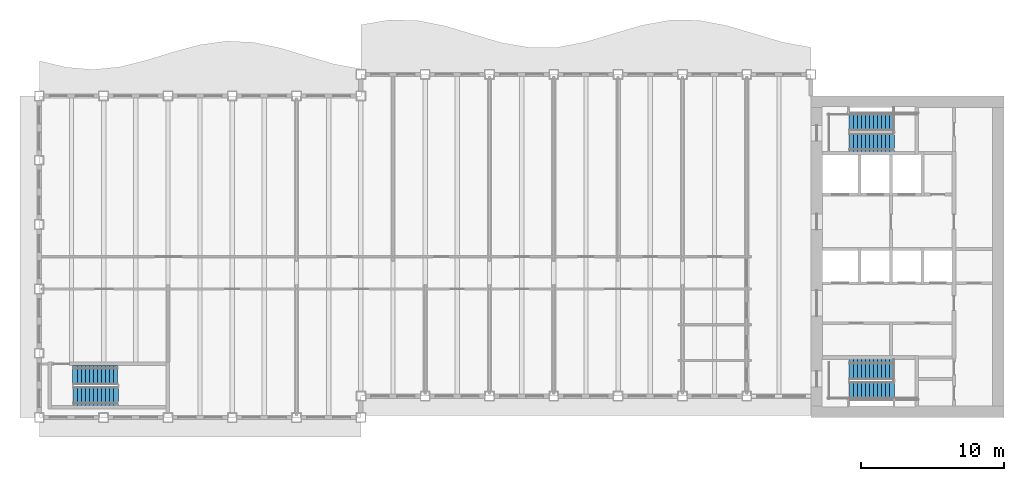
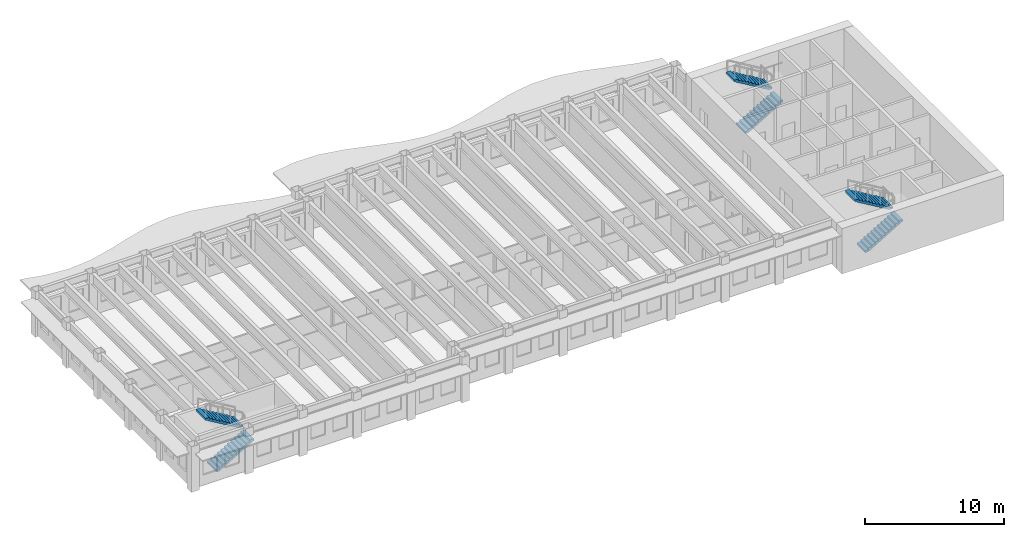
# One storey, part 7 of 12: 6 stair flights, 3 elements without a shape of their own.
"""IFC4 building model written with IfcOpenShell, lengths in metres."""

from ifc_helpers import new_model, si_unit, direction, frame, origin, place, context, subcontext, project, spatial, polyline, outline, extrude, material, type_object, element, aggregate, save


model = new_model("IFC4")

# Units and contexts
model_context = context("Model", 3, precision=1e-05, world=origin(), true_north=direction((0.0, 1.0)))
body_context = subcontext(model_context, "Body", "Model", "MODEL_VIEW")
ifc_project = project(units=[si_unit("LENGTHUNIT", "METRE"), si_unit("AREAUNIT", "SQUARE_METRE"), si_unit("VOLUMEUNIT", "CUBIC_METRE"), si_unit("PLANEANGLEUNIT", "RADIAN"), si_unit("MASSUNIT", "GRAM", prefix="KILO")], contexts=[model_context])

# Site, building, storey
site_placement = place(None, origin())
site = spatial("IfcSite", under=ifc_project, at=site_placement, CompositionType="ELEMENT")
building_placement = place(site_placement, origin())
building = spatial("IfcBuilding", under=site, at=building_placement, Name="Sennacour Bend Tower", CompositionType="ELEMENT")
storey_placement = place(building_placement, frame((0.0, 0.0, 257.0)))
storey = spatial("IfcBuildingStorey", under=building, at=storey_placement, Name="L59", CompositionType="ELEMENT", Elevation=257.0)

# Stair, stair flights
ifc_material = material(Name="Concrete C40/50", Category="concrete")
stair_type = type_object("IfcStairType", Name="ST-DOGLEG", PredefinedType="HALF_TURN_STAIR", material=ifc_material)
stair_1_placement = place(storey_placement, origin())
stair_1 = element("IfcStair", 1, at=stair_1_placement, inside=storey, type_object=stair_type, Name="L59 Exit stair A1", PredefinedType="HALF_TURN_STAIR")
stair_flight_type = type_object("IfcStairFlightType", Name="SFL-RC", PredefinedType="STRAIGHT", material=ifc_material)
stair_flight_1_placement = place(storey_placement, frame((56.699951171875, 1.89990234375, 0.0), z_axis=(0.0, 0.0, 1.0), x_axis=(1.0, 0.0, 0.0)))
stair_flight_1 = element("IfcStairFlight", 2, at=stair_flight_1_placement, type_object=stair_flight_type, Name="SA1 flight 1", NumberOfRisers=12, NumberOfTreads=11, PredefinedType="STRAIGHT", RiserHeight=0.166666667, TreadLength=0.28, context=body_context, shape_type="SweptSolid", body=[
    extrude(outline(polyline([(0.0, 0.0), (0.0, 0.166748046875), (0.280029296875, 0.166748046875), (0.280029296875, 0.333251953125), (0.56005859375, 0.333251953125), (0.56005859375, 0.5), (0.840087890625, 0.5), (0.840087890625, 0.666748046875), (1.1201171875, 0.666748046875), (1.1201171875, 0.833251953125), (1.39990234375, 0.833251953125), (1.39990234375, 1.0), (1.679931640625, 1.0), (1.679931640625, 1.166748046875), (1.9599609375, 1.166748046875), (1.9599609375, 1.333251953125), (2.239990234375, 1.333251953125), (2.239990234375, 1.5), (2.52001953125, 1.5), (2.52001953125, 1.666748046875), (2.800048828125, 1.666748046875), (2.800048828125, 1.833251953125), (3.080078125, 1.833251953125), (3.139892578125, 1.833251953125), (3.139892578125, 1.658935546875), (3.080078125, 1.658935546875), (0.29296875, 0.0), (0.0, 0.0)])), frame((0.0, 0.60009765625, 0.0), z_axis=(0.0, -1.0, 0.0), x_axis=(1.0, 0.0, 0.0)), (0.0, 0.0, 1.0), 1.199951171875),
])
stair_flight_2_placement = place(storey_placement, frame((59.780029296875, 3.37744140625, 2.0), z_axis=(0.0, 0.0, 1.0), x_axis=(-1.0, 0.0, 0.0)))
stair_flight_2 = element("IfcStairFlight", 3, at=stair_flight_2_placement, type_object=stair_flight_type, Name="SA1 flight 2", NumberOfRisers=12, NumberOfTreads=11, PredefinedType="STRAIGHT", RiserHeight=0.166666667, TreadLength=0.28, context=body_context, shape_type="SweptSolid", body=[
    extrude(outline(polyline([(0.0, 0.0), (0.0, 0.166748046875), (0.280029296875, 0.166748046875), (0.280029296875, 0.333251953125), (0.56005859375, 0.333251953125), (0.56005859375, 0.5), (0.840087890625, 0.5), (0.840087890625, 0.666748046875), (1.1201171875, 0.666748046875), (1.1201171875, 0.833251953125), (1.39990234375, 0.833251953125), (1.39990234375, 1.0), (1.679931640625, 1.0), (1.679931640625, 1.166748046875), (1.9599609375, 1.166748046875), (1.9599609375, 1.333251953125), (2.239990234375, 1.333251953125), (2.239990234375, 1.5), (2.52001953125, 1.5), (2.52001953125, 1.666748046875), (2.800048828125, 1.666748046875), (2.800048828125, 1.833251953125), (3.080078125, 1.833251953125), (3.139892578125, 1.833251953125), (3.139892578125, 1.658935546875), (3.080078125, 1.658935546875), (0.29296875, 0.0), (0.0, 0.0)])), frame((0.0, 0.7275390625, 0.0), z_axis=(0.0, -1.0, 0.0), x_axis=(1.0, 0.0, 0.0)), (0.0, 0.0, 1.0), 1.455078125),
])
aggregate(stair_1, [stair_flight_1, stair_flight_2])

stair_2_placement = place(storey_placement, origin())
stair_2 = element("IfcStair", 4, at=stair_2_placement, inside=storey, type_object=stair_type, Name="L59 Exit stair A2", PredefinedType="HALF_TURN_STAIR")
stair_flight_3_placement = place(storey_placement, frame((56.699951171875, 19.24755859375, 0.0), z_axis=(0.0, 0.0, 1.0), x_axis=(1.0, 0.0, 0.0)))
stair_flight_3 = element("IfcStairFlight", 5, at=stair_flight_3_placement, type_object=stair_flight_type, Name="SA2 flight 1", NumberOfRisers=12, NumberOfTreads=11, PredefinedType="STRAIGHT", RiserHeight=0.166666667, TreadLength=0.28, context=body_context, shape_type="SweptSolid", body=[
    extrude(outline(polyline([(0.0, 0.0), (0.0, 0.166748046875), (0.280029296875, 0.166748046875), (0.280029296875, 0.333251953125), (0.56005859375, 0.333251953125), (0.56005859375, 0.5), (0.840087890625, 0.5), (0.840087890625, 0.666748046875), (1.1201171875, 0.666748046875), (1.1201171875, 0.833251953125), (1.39990234375, 0.833251953125), (1.39990234375, 1.0), (1.679931640625, 1.0), (1.679931640625, 1.166748046875), (1.9599609375, 1.166748046875), (1.9599609375, 1.333251953125), (2.239990234375, 1.333251953125), (2.239990234375, 1.5), (2.52001953125, 1.5), (2.52001953125, 1.666748046875), (2.800048828125, 1.666748046875), (2.800048828125, 1.833251953125), (3.080078125, 1.833251953125), (3.139892578125, 1.833251953125), (3.139892578125, 1.658935546875), (3.080078125, 1.658935546875), (0.29296875, 0.0), (0.0, 0.0)])), frame((0.0, 0.65234375, 0.0), z_axis=(0.0, -1.0, 0.0), x_axis=(1.0, 0.0, 0.0)), (0.0, 0.0, 1.0), 1.304931640625),
])
stair_flight_4_placement = place(storey_placement, frame((59.780029296875, 20.64990234375, 2.0), z_axis=(0.0, 0.0, 1.0), x_axis=(-1.0, 0.0, 0.0)))
stair_flight_4 = element("IfcStairFlight", 6, at=stair_flight_4_placement, type_object=stair_flight_type, Name="SA2 flight 2", NumberOfRisers=12, NumberOfTreads=11, PredefinedType="STRAIGHT", RiserHeight=0.166666667, TreadLength=0.28, context=body_context, shape_type="SweptSolid", body=[
    extrude(outline(polyline([(0.0, 0.0), (0.0, 0.166748046875), (0.280029296875, 0.166748046875), (0.280029296875, 0.333251953125), (0.56005859375, 0.333251953125), (0.56005859375, 0.5), (0.840087890625, 0.5), (0.840087890625, 0.666748046875), (1.1201171875, 0.666748046875), (1.1201171875, 0.833251953125), (1.39990234375, 0.833251953125), (1.39990234375, 1.0), (1.679931640625, 1.0), (1.679931640625, 1.166748046875), (1.9599609375, 1.166748046875), (1.9599609375, 1.333251953125), (2.239990234375, 1.333251953125), (2.239990234375, 1.5), (2.52001953125, 1.5), (2.52001953125, 1.666748046875), (2.800048828125, 1.666748046875), (2.800048828125, 1.833251953125), (3.080078125, 1.833251953125), (3.139892578125, 1.833251953125), (3.139892578125, 1.658935546875), (3.080078125, 1.658935546875), (0.29296875, 0.0), (0.0, 0.0)])), frame((0.0, 0.60009765625, 0.0), z_axis=(0.0, -1.0, 0.0), x_axis=(1.0, 0.0, 0.0)), (0.0, 0.0, 1.0), 1.199951171875),
])
aggregate(stair_2, [stair_flight_3, stair_flight_4])

stair_3_placement = place(storey_placement, origin())
stair_3 = element("IfcStair", 7, at=stair_3_placement, inside=storey, type_object=stair_type, Name="L59 Exit stair K1", PredefinedType="HALF_TURN_STAIR")
stair_flight_5_placement = place(storey_placement, frame((2.39990234375, 1.485107421875, 0.0), z_axis=(0.0, 0.0, 1.0), x_axis=(1.0, 0.0, 0.0)))
stair_flight_5 = element("IfcStairFlight", 8, at=stair_flight_5_placement, type_object=stair_flight_type, Name="SK1 flight 1", NumberOfRisers=12, NumberOfTreads=11, PredefinedType="STRAIGHT", RiserHeight=0.166666667, TreadLength=0.28, context=body_context, shape_type="SweptSolid", body=[
    extrude(outline(polyline([(0.0, 0.0), (0.0, 0.166748046875), (0.280029296875, 0.166748046875), (0.280029296875, 0.333251953125), (0.56005859375, 0.333251953125), (0.56005859375, 0.5), (0.840087890625, 0.5), (0.840087890625, 0.666748046875), (1.1201171875, 0.666748046875), (1.1201171875, 0.833251953125), (1.39990234375, 0.833251953125), (1.39990234375, 1.0), (1.679931640625, 1.0), (1.679931640625, 1.166748046875), (1.9599609375, 1.166748046875), (1.9599609375, 1.333251953125), (2.239990234375, 1.333251953125), (2.239990234375, 1.5), (2.52001953125, 1.5), (2.52001953125, 1.666748046875), (2.800048828125, 1.666748046875), (2.800048828125, 1.833251953125), (3.080078125, 1.833251953125), (3.139892578125, 1.833251953125), (3.139892578125, 1.658935546875), (3.080078125, 1.658935546875), (0.29296875, 0.0), (0.0, 0.0)])), frame((0.0, 0.6650390625, 0.0), z_axis=(0.0, -1.0, 0.0), x_axis=(1.0, 0.0, 0.0)), (0.0, 0.0, 1.0), 1.330078125),
])
stair_flight_6_placement = place(storey_placement, frame((5.47998046875, 2.9775390625, 2.0), z_axis=(0.0, 0.0, 1.0), x_axis=(-1.0, 0.0, 0.0)))
stair_flight_6 = element("IfcStairFlight", 9, at=stair_flight_6_placement, type_object=stair_flight_type, Name="SK1 flight 2", NumberOfRisers=12, NumberOfTreads=11, PredefinedType="STRAIGHT", RiserHeight=0.166666667, TreadLength=0.28, context=body_context, shape_type="SweptSolid", body=[
    extrude(outline(polyline([(0.0, 0.0), (0.0, 0.166748046875), (0.280029296875, 0.166748046875), (0.280029296875, 0.333251953125), (0.56005859375, 0.333251953125), (0.56005859375, 0.5), (0.840087890625, 0.5), (0.840087890625, 0.666748046875), (1.1201171875, 0.666748046875), (1.1201171875, 0.833251953125), (1.39990234375, 0.833251953125), (1.39990234375, 1.0), (1.679931640625, 1.0), (1.679931640625, 1.166748046875), (1.9599609375, 1.166748046875), (1.9599609375, 1.333251953125), (2.239990234375, 1.333251953125), (2.239990234375, 1.5), (2.52001953125, 1.5), (2.52001953125, 1.666748046875), (2.800048828125, 1.666748046875), (2.800048828125, 1.833251953125), (3.080078125, 1.833251953125), (3.139892578125, 1.833251953125), (3.139892578125, 1.658935546875), (3.080078125, 1.658935546875), (0.29296875, 0.0), (0.0, 0.0)])), frame((0.0, 0.677490234375, 0.0), z_axis=(0.0, -1.0, 0.0), x_axis=(1.0, 0.0, 0.0)), (0.0, 0.0, 1.0), 1.35498046875),
])
aggregate(stair_3, [stair_flight_5, stair_flight_6])

save(model, "model.ifc")
